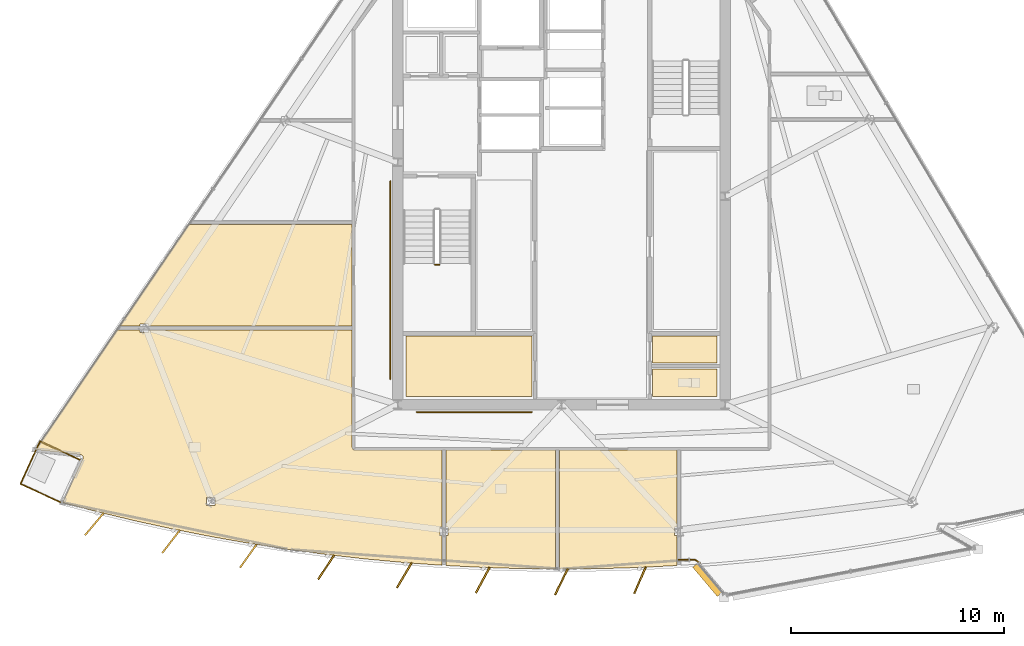
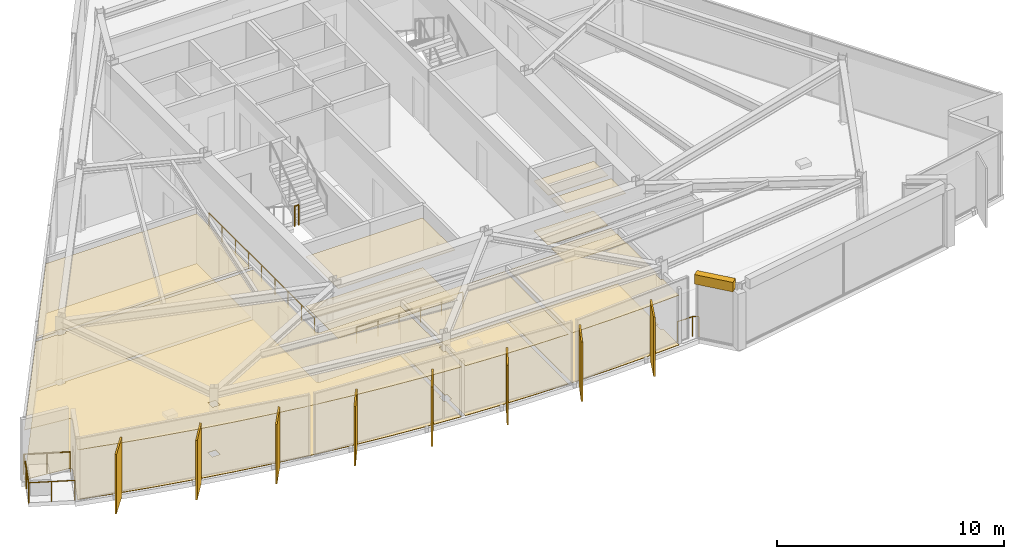
# One storey, part 10 of 14: 15 coverings, 8 shading devices, 7 railings.
"""IFC4 building model written with IfcOpenShell, lengths in metres."""

from ifc_helpers import new_model, si_unit, direction, frame, origin, origin_2d, place, context, subcontext, project, spatial, polyline, rectangle, circle, outline, extrude, material, layer, layer_set, type_object, element, save


model = new_model("IFC4")

# Units and contexts
model_context = context("Model", 3, precision=1e-05, world=origin(), true_north=direction((0.0, 1.0)))
body_context = subcontext(model_context, "Body", "Model", "MODEL_VIEW")
ifc_project = project(units=[si_unit("LENGTHUNIT", "METRE"), si_unit("AREAUNIT", "SQUARE_METRE"), si_unit("VOLUMEUNIT", "CUBIC_METRE"), si_unit("PLANEANGLEUNIT", "RADIAN"), si_unit("MASSUNIT", "GRAM", prefix="KILO")], contexts=[model_context])

# Site, building, storey
site_placement = place(None, origin())
site = spatial("IfcSite", under=ifc_project, at=site_placement, CompositionType="ELEMENT")
building_placement = place(site_placement, origin())
building = spatial("IfcBuilding", under=site, at=building_placement, Name="Savorim Split Tower", CompositionType="ELEMENT")
storey_placement = place(building_placement, frame((0.0, 0.0, 219.89990234375)))
storey = spatial("IfcBuildingStorey", under=building, at=storey_placement, Name="L58", CompositionType="ELEMENT", Elevation=219.89990234375)

# Coverings
ifc_material_1 = material(Name="Mineral Fibre Acoustic Ceiling")
ifc_layer_1 = layer(ifc_material_1, 0.02490234375)
ifc_layer_set_1 = layer_set([ifc_layer_1], Name="COV-CEIL-25")
covering_type_1 = type_object("IfcCoveringType", Name="COV-CEIL-25", PredefinedType="CEILING", material=ifc_layer_set_1)
covering_1_placement = place(storey_placement, frame((0.0, 0.0, 2.670166015625)))
element("IfcCovering", 1, at=covering_1_placement, inside=storey, type_object=covering_type_1, Name="L58 Housekeeping Store Acoustic Ceiling", PredefinedType="CEILING", context=body_context, shape_type="SweptSolid", body=[
    extrude(outline(polyline([(-7.320068359375, -6.179931640625), (-7.320068359375, -9.02001953125), (-1.3798828125, -9.02001953125), (-1.3798828125, -6.179931640625), (-7.320068359375, -6.179931640625)])), origin(), (0.0, 0.0, 1.0), 0.02490234375),
])
covering_2_placement = place(storey_placement, frame((0.0, 0.0, 2.670166015625)))
element("IfcCovering", 2, at=covering_2_placement, inside=storey, type_object=covering_type_1, Name="L58 Accessible WC Acoustic Ceiling", PredefinedType="CEILING", context=body_context, shape_type="SweptSolid", body=[
    extrude(outline(polyline([(4.280029296875, -7.719970703125), (4.280029296875, -9.02001953125), (7.320068359375, -9.02001953125), (7.320068359375, -7.719970703125), (4.280029296875, -7.719970703125)])), origin(), (0.0, 0.0, 1.0), 0.02490234375),
])
covering_3_placement = place(storey_placement, frame((0.0, 0.0, 2.670166015625)))
element("IfcCovering", 3, at=covering_3_placement, inside=storey, type_object=covering_type_1, Name="L58 Cleaning Store Acoustic Ceiling", PredefinedType="CEILING", context=body_context, shape_type="SweptSolid", body=[
    extrude(outline(polyline([(4.280029296875, -6.179931640625), (4.280029296875, -7.43994140625), (7.320068359375, -7.43994140625), (7.320068359375, -6.179931640625), (4.280029296875, -6.179931640625)])), origin(), (0.0, 0.0, 1.0), 0.02490234375),
])
covering_4_placement = place(storey_placement, frame((0.0, 0.0, 2.670166015625)))
element("IfcCovering", 4, at=covering_4_placement, inside=storey, type_object=covering_type_1, Name="L58 Quiet Study Room Acoustic Ceiling", PredefinedType="CEILING", context=body_context, shape_type="SweptSolid", body=[
    extrude(outline(polyline([(-19.415283203125, -5.610595703125), (-19.415283203125, -5.711669921875), (-9.840087890625, -5.711669921875), (-9.840087890625, -0.931884765625), (-17.527099609375, -0.931884765625), (-20.7783203125, -5.711669921875), (-19.809326171875, -5.711669921875), (-19.809326171875, -5.610595703125), (-19.415283203125, -5.610595703125)])), origin(), (0.0, 0.0, 1.0), 0.02490234375),
])
covering_5_placement = place(storey_placement, frame((0.0, 0.0, 2.670166015625)))
element("IfcCovering", 5, at=covering_5_placement, inside=storey, type_object=covering_type_1, Name="L58 Community Laundry Room Acoustic Ceiling", PredefinedType="CEILING", context=body_context, shape_type="SweptSolid", body=[
    extrude(outline(polyline([(-22.49072265625, -11.86669921875), (-22.490478515625, -11.878662109375), (-22.491455078125, -11.890625), (-22.49365234375, -11.90234375), (-22.496826171875, -11.913818359375), (-22.50146484375, -11.9248046875), (-23.4599609375, -14.01123046875), (-21.8203125, -14.440185546875), (-20.0341796875, -14.868408203125), (-18.23974609375, -15.260009765625), (-16.4375, -15.61474609375), (-14.62841796875, -15.9326171875), (-12.8134765625, -16.21337890625), (-10.992919921875, -16.45703125), (-9.167724609375, -16.663330078125), (-7.3388671875, -16.832275390625), (-5.6201171875, -16.95556640625), (-5.6201171875, -15.5576171875), (-5.721923828125, -15.5576171875), (-5.721923828125, -15.165771484375), (-5.6201171875, -15.165771484375), (-5.6201171875, -11.5400390625), (-9.699951171875, -11.5400390625), (-9.713623046875, -11.539306640625), (-9.727294921875, -11.537353515625), (-9.740478515625, -11.533935546875), (-9.753662109375, -11.529296875), (-9.76611328125, -11.5234375), (-9.77783203125, -11.516357421875), (-9.788818359375, -11.50830078125), (-9.799072265625, -11.4990234375), (-9.80810546875, -11.48876953125), (-9.81640625, -11.477783203125), (-9.823486328125, -11.466064453125), (-9.829345703125, -11.45361328125), (-9.833984375, -11.440673828125), (-9.83740234375, -11.42724609375), (-9.83935546875, -11.413818359375), (-9.840087890625, -11.39990234375), (-9.840087890625, -5.901611328125), (-19.415283203125, -5.901611328125), (-19.415283203125, -6.002685546875), (-19.809326171875, -6.002685546875), (-19.809326171875, -5.901611328125), (-20.78271484375, -5.901611328125), (-20.877685546875, -5.901611328125), (-20.877685546875, -5.857421875), (-24.72802734375, -11.517578125), (-22.59716796875, -11.755615234375), (-22.585205078125, -11.757568359375), (-22.57373046875, -11.760498046875), (-22.5625, -11.7646484375), (-22.552001953125, -11.77001953125), (-22.541748046875, -11.7763671875), (-22.5322265625, -11.78369140625), (-22.523681640625, -11.7919921875), (-22.515869140625, -11.80078125), (-22.509033203125, -11.810546875), (-22.503173828125, -11.821044921875), (-22.498291015625, -11.831787109375), (-22.49462890625, -11.84326171875), (-22.4921875, -11.85498046875), (-22.49072265625, -11.86669921875)]), holes=[polyline([(-16.681884765625, -14.150390625), (-16.287841796875, -14.150390625), (-16.287841796875, -13.758544921875), (-16.681884765625, -13.758544921875), (-16.681884765625, -14.150390625)])]), origin(), (0.0, 0.0, 1.0), 0.02490234375),
])
covering_6_placement = place(storey_placement, frame((0.0, 0.0, 2.670166015625)))
element("IfcCovering", 6, at=covering_6_placement, inside=storey, type_object=covering_type_1, Name="L58 Shared Kitchen Acoustic Ceiling", PredefinedType="CEILING", context=body_context, shape_type="SweptSolid", body=[
    extrude(outline(polyline([(-5.429931640625, -16.9677734375), (-3.672607421875, -17.0576171875), (-1.836669921875, -17.114013671875), (-0.2900390625, -17.1298828125), (-0.2900390625, -11.5400390625), (-5.429931640625, -11.5400390625), (-5.429931640625, -15.165771484375), (-5.327880859375, -15.165771484375), (-5.327880859375, -15.5576171875), (-5.429931640625, -15.5576171875), (-5.429931640625, -16.912353515625), (-5.429931640625, -16.9677734375)])), origin(), (0.0, 0.0, 1.0), 0.02490234375),
])
covering_7_placement = place(storey_placement, frame((0.0, 0.0, 2.670166015625)))
element("IfcCovering", 7, at=covering_7_placement, inside=storey, type_object=covering_type_1, Name="L58 Maker Workshop Acoustic Ceiling", PredefinedType="CEILING", context=body_context, shape_type="SweptSolid", body=[
    extrude(outline(polyline([(-0.10009765625, -17.1318359375), (0.0, -17.1328125), (1.836669921875, -17.114013671875), (3.672607421875, -17.0576171875), (5.429931640625, -16.9677734375), (5.429931640625, -15.5576171875), (5.327880859375, -15.5576171875), (5.327880859375, -15.165771484375), (5.429931640625, -15.165771484375), (5.429931640625, -11.5400390625), (-0.10009765625, -11.5400390625), (-0.10009765625, -17.1318359375)])), origin(), (0.0, 0.0, 1.0), 0.02490234375),
])
ifc_material_2 = material(Name="Porcelain Stoneware Flooring", Category="masonry")
ifc_layer_2 = layer(ifc_material_2, 0.02001953125)
ifc_layer_set_2 = layer_set([ifc_layer_2], Name="COV-FLOR-20")
covering_type_2 = type_object("IfcCoveringType", Name="COV-FLOR-20", PredefinedType="FLOORING", material=ifc_layer_set_2)
covering_8_placement = place(storey_placement, origin())
element("IfcCovering", 8, at=covering_8_placement, inside=storey, type_object=covering_type_2, Name="L58 Housekeeping Store Porcelain Flooring", PredefinedType="FLOORING", context=body_context, shape_type="SweptSolid", body=[
    extrude(outline(polyline([(-7.320068359375, -6.179931640625), (-7.320068359375, -9.02001953125), (-1.3798828125, -9.02001953125), (-1.3798828125, -6.179931640625), (-7.320068359375, -6.179931640625)])), origin(), (0.0, 0.0, 1.0), 0.02001953125),
])
covering_9_placement = place(storey_placement, origin())
element("IfcCovering", 9, at=covering_9_placement, inside=storey, type_object=covering_type_2, Name="L58 Accessible WC Porcelain Flooring", PredefinedType="FLOORING", context=body_context, shape_type="SweptSolid", body=[
    extrude(outline(polyline([(4.280029296875, -7.719970703125), (4.280029296875, -9.02001953125), (7.320068359375, -9.02001953125), (7.320068359375, -7.719970703125), (4.280029296875, -7.719970703125)])), origin(), (0.0, 0.0, 1.0), 0.02001953125),
])
covering_10_placement = place(storey_placement, origin())
element("IfcCovering", 10, at=covering_10_placement, inside=storey, type_object=covering_type_2, Name="L58 Cleaning Store Porcelain Flooring", PredefinedType="FLOORING", context=body_context, shape_type="SweptSolid", body=[
    extrude(outline(polyline([(4.280029296875, -6.179931640625), (4.280029296875, -7.43994140625), (7.320068359375, -7.43994140625), (7.320068359375, -6.179931640625), (4.280029296875, -6.179931640625)])), origin(), (0.0, 0.0, 1.0), 0.02001953125),
])
covering_11_placement = place(storey_placement, origin())
element("IfcCovering", 11, at=covering_11_placement, inside=storey, type_object=covering_type_2, Name="L58 Quiet Study Room Porcelain Flooring", PredefinedType="FLOORING", context=body_context, shape_type="SweptSolid", body=[
    extrude(outline(polyline([(-19.415283203125, -5.610595703125), (-19.415283203125, -5.711669921875), (-9.840087890625, -5.711669921875), (-9.840087890625, -0.931884765625), (-17.527099609375, -0.931884765625), (-20.7783203125, -5.711669921875), (-19.809326171875, -5.711669921875), (-19.809326171875, -5.610595703125), (-19.415283203125, -5.610595703125)])), origin(), (0.0, 0.0, 1.0), 0.02001953125),
])
covering_12_placement = place(storey_placement, origin())
element("IfcCovering", 12, at=covering_12_placement, inside=storey, type_object=covering_type_2, Name="L58 Community Laundry Room Porcelain Flooring", PredefinedType="FLOORING", context=body_context, shape_type="SweptSolid", body=[
    extrude(outline(polyline([(-22.49072265625, -11.86669921875), (-22.490478515625, -11.878662109375), (-22.491455078125, -11.890625), (-22.49365234375, -11.90234375), (-22.496826171875, -11.913818359375), (-22.50146484375, -11.9248046875), (-23.4599609375, -14.01123046875), (-21.8203125, -14.440185546875), (-20.0341796875, -14.868408203125), (-18.23974609375, -15.260009765625), (-16.4375, -15.61474609375), (-14.62841796875, -15.9326171875), (-12.8134765625, -16.21337890625), (-10.992919921875, -16.45703125), (-9.167724609375, -16.663330078125), (-7.3388671875, -16.832275390625), (-5.6201171875, -16.95556640625), (-5.6201171875, -15.5576171875), (-5.721923828125, -15.5576171875), (-5.721923828125, -15.165771484375), (-5.6201171875, -15.165771484375), (-5.6201171875, -11.5400390625), (-9.699951171875, -11.5400390625), (-9.713623046875, -11.539306640625), (-9.727294921875, -11.537353515625), (-9.740478515625, -11.533935546875), (-9.753662109375, -11.529296875), (-9.76611328125, -11.5234375), (-9.77783203125, -11.516357421875), (-9.788818359375, -11.50830078125), (-9.799072265625, -11.4990234375), (-9.80810546875, -11.48876953125), (-9.81640625, -11.477783203125), (-9.823486328125, -11.466064453125), (-9.829345703125, -11.45361328125), (-9.833984375, -11.440673828125), (-9.83740234375, -11.42724609375), (-9.83935546875, -11.413818359375), (-9.840087890625, -11.39990234375), (-9.840087890625, -5.901611328125), (-19.415283203125, -5.901611328125), (-19.415283203125, -6.002685546875), (-19.809326171875, -6.002685546875), (-19.809326171875, -5.901611328125), (-20.78271484375, -5.901611328125), (-20.877685546875, -5.901611328125), (-20.877685546875, -5.857421875), (-24.72802734375, -11.517578125), (-22.59716796875, -11.755615234375), (-22.585205078125, -11.757568359375), (-22.57373046875, -11.760498046875), (-22.5625, -11.7646484375), (-22.552001953125, -11.77001953125), (-22.541748046875, -11.7763671875), (-22.5322265625, -11.78369140625), (-22.523681640625, -11.7919921875), (-22.515869140625, -11.80078125), (-22.509033203125, -11.810546875), (-22.503173828125, -11.821044921875), (-22.498291015625, -11.831787109375), (-22.49462890625, -11.84326171875), (-22.4921875, -11.85498046875), (-22.49072265625, -11.86669921875)]), holes=[polyline([(-16.681884765625, -14.150390625), (-16.287841796875, -14.150390625), (-16.287841796875, -13.758544921875), (-16.681884765625, -13.758544921875), (-16.681884765625, -14.150390625)])]), origin(), (0.0, 0.0, 1.0), 0.02001953125),
])
covering_13_placement = place(storey_placement, origin())
element("IfcCovering", 13, at=covering_13_placement, inside=storey, type_object=covering_type_2, Name="L58 Shared Kitchen Porcelain Flooring", PredefinedType="FLOORING", context=body_context, shape_type="SweptSolid", body=[
    extrude(outline(polyline([(-5.429931640625, -16.9677734375), (-3.672607421875, -17.0576171875), (-1.836669921875, -17.114013671875), (-0.2900390625, -17.1298828125), (-0.2900390625, -11.5400390625), (-5.429931640625, -11.5400390625), (-5.429931640625, -15.165771484375), (-5.327880859375, -15.165771484375), (-5.327880859375, -15.5576171875), (-5.429931640625, -15.5576171875), (-5.429931640625, -16.912353515625), (-5.429931640625, -16.9677734375)])), origin(), (0.0, 0.0, 1.0), 0.02001953125),
])
covering_14_placement = place(storey_placement, origin())
element("IfcCovering", 14, at=covering_14_placement, inside=storey, type_object=covering_type_2, Name="L58 Maker Workshop Porcelain Flooring", PredefinedType="FLOORING", context=body_context, shape_type="SweptSolid", body=[
    extrude(outline(polyline([(-0.10009765625, -17.1318359375), (0.0, -17.1328125), (1.836669921875, -17.114013671875), (3.672607421875, -17.0576171875), (5.429931640625, -16.9677734375), (5.429931640625, -15.5576171875), (5.327880859375, -15.5576171875), (5.327880859375, -15.165771484375), (5.429931640625, -15.165771484375), (5.429931640625, -11.5400390625), (-0.10009765625, -11.5400390625), (-0.10009765625, -17.1318359375)])), origin(), (0.0, 0.0, 1.0), 0.02001953125),
])
ifc_material_3 = material(Name="White Porcelain Architectural Cladding")
ifc_layer_3 = layer(ifc_material_3, 0.139892578125)
ifc_layer_set_3 = layer_set([ifc_layer_3], Name="COV-FRM-WHITE")
covering_type_3 = type_object("IfcCoveringType", Name="COV-FRM-WHITE", PredefinedType="CLADDING", material=ifc_layer_set_3)
covering_15_placement = place(storey_placement, frame((0.0, 0.0, 3.080078125)))
element("IfcCovering", 15, at=covering_15_placement, inside=storey, type_object=covering_type_3, Name="L58 Cantilevered Lounge White Upper Cornice Band W", PredefinedType="CLADDING", context=body_context, shape_type="SweptSolid", body=[
    extrude(outline(polyline([(6.170166015625, -17.050537109375), (7.331298828125, -18.426025390625), (7.591064453125, -18.206787109375), (6.429931640625, -16.831298828125), (6.170166015625, -17.050537109375)])), origin(), (0.0, 0.0, 1.0), 0.510009765625),
])

# Railings
ifc_material_4 = material(Name="Galvanised Painted Steel Balustrade", Category="steel")
railing_type_1 = type_object("IfcRailingType", Name="RLG-BAL-1100", PredefinedType="BALUSTRADE", material=ifc_material_4)
railing_1_placement = place(storey_placement, frame((5.506591796875, -16.697509765625, 0.0)))
element("IfcRailing", 16, at=railing_1_placement, inside=storey, type_object=railing_type_1, Name="L58 Cantilevered Lounge West Edge Closure Guard", PredefinedType="BALUSTRADE", context=body_context, shape_type="SweptSolid", body=[
    extrude(circle(Radius=0.02392578125, at=origin_2d()), frame((0.0, 0.0, 1.076171875), z_axis=(1.0, 0.0, 0.0), x_axis=(0.0, 1.0, 0.0)), (0.0, 0.0, 1.0), 0.780029296875),
    extrude(circle(Radius=0.02392578125, at=origin_2d()), frame((0.780029296875, 0.0, 1.076171875), z_axis=(0.841354039669, -0.540484393792, 0.0), x_axis=(0.540484393792, 0.841354039669, 0.0)), (0.0, 0.0, 1.0), 0.27099609375),
    extrude(circle(Radius=0.02099609375, at=origin_2d()), origin(), (0.0, 0.0, 1.0), 1.052001953125),
    extrude(circle(Radius=0.02099609375, at=origin_2d()), frame((0.780029296875, 0.0, 0.0)), (0.0, 0.0, 1.0), 1.052001953125),
    extrude(circle(Radius=0.02099609375, at=origin_2d()), frame((1.008056640625, -0.146484375, 0.0)), (0.0, 0.0, 1.0), 1.052001953125),
])
railing_2_placement = place(storey_placement, frame((-23.57861328125, -13.982177734375, 0.0)))
element("IfcRailing", 17, at=railing_2_placement, inside=storey, type_object=railing_type_1, Name="L58 Tree Balcony Guardrail SW-1", PredefinedType="BALUSTRADE", context=body_context, shape_type="SweptSolid", body=[
    extrude(circle(Radius=0.02392578125, at=origin_2d()), frame((0.0, 0.0, 1.076171875), z_axis=(-0.908662190505, 0.417532062898, 0.0), x_axis=(-0.417532062898, -0.908662190505, 0.0)), (0.0, 0.0, 1.0), 2.050048828125),
    extrude(circle(Radius=0.02099609375, at=origin_2d()), origin(), (0.0, 0.0, 1.0), 1.052001953125),
    extrude(circle(Radius=0.02099609375, at=origin_2d()), frame((-0.931396484375, 0.427978515625, 0.0)), (0.0, 0.0, 1.0), 1.052001953125),
    extrude(circle(Radius=0.02099609375, at=origin_2d()), frame((-1.86279296875, 0.85595703125, 0.0)), (0.0, 0.0, 1.0), 1.052001953125),
])
railing_3_placement = place(storey_placement, frame((-25.44140625, -13.126220703125, 0.0)))
element("IfcRailing", 18, at=railing_3_placement, inside=storey, type_object=railing_type_1, Name="L58 Tree Balcony Guardrail SW-2", PredefinedType="BALUSTRADE", context=body_context, shape_type="SweptSolid", body=[
    extrude(circle(Radius=0.02392578125, at=origin_2d()), frame((0.0, 0.0, 1.076171875), z_axis=(0.417529900491, 0.908663184132, 0.0), x_axis=(-0.908663184132, 0.417529900491, 0.0)), (0.0, 0.0, 1.0), 2.19921875),
    extrude(circle(Radius=0.02099609375, at=origin_2d()), origin(), (0.0, 0.0, 1.0), 1.052001953125),
    extrude(circle(Radius=0.02099609375, at=origin_2d()), frame((0.458984375, 0.9990234375, 0.0)), (0.0, 0.0, 1.0), 1.052001953125),
    extrude(circle(Radius=0.02099609375, at=origin_2d()), frame((0.918212890625, 1.998291015625, 0.0)), (0.0, 0.0, 1.0), 1.052001953125),
])
railing_4_placement = place(storey_placement, frame((-24.523193359375, -11.1279296875, 0.0)))
element("IfcRailing", 19, at=railing_4_placement, inside=storey, type_object=railing_type_1, Name="L58 Tree Balcony Guardrail SW-3", PredefinedType="BALUSTRADE", context=body_context, shape_type="SweptSolid", body=[
    extrude(circle(Radius=0.02392578125, at=origin_2d()), frame((0.0, 0.0, 1.076171875), z_axis=(0.908662190505, -0.417532062898, 0.0), x_axis=(0.417532062898, 0.908662190505, 0.0)), (0.0, 0.0, 1.0), 2.050048828125),
    extrude(circle(Radius=0.02099609375, at=origin_2d()), origin(), (0.0, 0.0, 1.0), 1.052001953125),
    extrude(circle(Radius=0.02099609375, at=origin_2d()), frame((0.931396484375, -0.427978515625, 0.0)), (0.0, 0.0, 1.0), 1.052001953125),
    extrude(circle(Radius=0.02099609375, at=origin_2d()), frame((1.86279296875, -0.85595703125, 0.0)), (0.0, 0.0, 1.0), 1.052001953125),
])
railing_type_2 = type_object("IfcRailingType", Name="RLG-HR-900", PredefinedType="HANDRAIL", material=ifc_material_4)
railing_5_placement = place(storey_placement, frame((-6.800048828125, -9.75, 0.0)))
element("IfcRailing", 20, at=railing_5_placement, inside=storey, type_object=railing_type_2, Name="L58 Corridor South Accessible Handrail", PredefinedType="HANDRAIL", context=body_context, shape_type="SweptSolid", body=[
    extrude(circle(Radius=0.02392578125, at=origin_2d()), frame((0.0, 0.0, 0.8759765625), z_axis=(1.0, 0.0, 0.0), x_axis=(0.0, 1.0, 0.0)), (0.0, 0.0, 1.0), 5.400146484375),
    extrude(circle(Radius=0.02099609375, at=origin_2d()), origin(), (0.0, 0.0, 1.0), 0.851806640625),
    extrude(circle(Radius=0.02099609375, at=origin_2d()), frame((1.080078125, 0.0, 0.0)), (0.0, 0.0, 1.0), 0.851806640625),
    extrude(circle(Radius=0.02099609375, at=origin_2d()), frame((2.16015625, 0.0, 0.0)), (0.0, 0.0, 1.0), 0.851806640625),
    extrude(circle(Radius=0.02099609375, at=origin_2d()), frame((3.239990234375, 0.0, 0.0)), (0.0, 0.0, 1.0), 0.851806640625),
    extrude(circle(Radius=0.02099609375, at=origin_2d()), frame((4.320068359375, 0.0, 0.0)), (0.0, 0.0, 1.0), 0.851806640625),
    extrude(circle(Radius=0.02099609375, at=origin_2d()), frame((5.400146484375, 0.0, 0.0)), (0.0, 0.0, 1.0), 0.851806640625),
])
railing_6_placement = place(storey_placement, frame((-8.050048828125, -8.199951171875, 0.0)))
element("IfcRailing", 21, at=railing_6_placement, inside=storey, type_object=railing_type_2, Name="L58 Corridor West Accessible Handrail", PredefinedType="HANDRAIL", context=body_context, shape_type="SweptSolid", body=[
    extrude(circle(Radius=0.02392578125, at=origin_2d()), frame((0.0, 0.0, 0.8759765625), z_axis=(0.0, 1.0, 0.0), x_axis=(-1.0, 0.0, 0.0)), (0.0, 0.0, 1.0), 9.300048828125),
    extrude(circle(Radius=0.02099609375, at=origin_2d()), origin(), (0.0, 0.0, 1.0), 0.851806640625),
    extrude(circle(Radius=0.02099609375, at=origin_2d()), frame((0.0, 1.16259765625, 0.0)), (0.0, 0.0, 1.0), 0.851806640625),
    extrude(circle(Radius=0.02099609375, at=origin_2d()), frame((0.0, 2.324951171875, 0.0)), (0.0, 0.0, 1.0), 0.851806640625),
    extrude(circle(Radius=0.02099609375, at=origin_2d()), frame((0.0, 3.487548828125, 0.0)), (0.0, 0.0, 1.0), 0.851806640625),
    extrude(circle(Radius=0.02099609375, at=origin_2d()), frame((0.0, 4.64990234375, 0.0)), (0.0, 0.0, 1.0), 0.851806640625),
    extrude(circle(Radius=0.02099609375, at=origin_2d()), frame((0.0, 5.8125, 0.0)), (0.0, 0.0, 1.0), 0.851806640625),
    extrude(circle(Radius=0.02099609375, at=origin_2d()), frame((0.0, 6.97509765625, 0.0)), (0.0, 0.0, 1.0), 0.851806640625),
    extrude(circle(Radius=0.02099609375, at=origin_2d()), frame((0.0, 8.137451171875, 0.0)), (0.0, 0.0, 1.0), 0.851806640625),
    extrude(circle(Radius=0.02099609375, at=origin_2d()), frame((0.0, 9.300048828125, 0.0)), (0.0, 0.0, 1.0), 0.851806640625),
])
railing_type_3 = type_object("IfcRailingType", Name="RLG-STG-1100", PredefinedType="BALUSTRADE", material=ifc_material_4)
railing_7_placement = place(storey_placement, frame((-5.949951171875, -2.820068359375, 1.800048828125)))
element("IfcRailing", 22, at=railing_7_placement, inside=storey, type_object=railing_type_3, Name="L58 ST-1 stair guard 2", PredefinedType="BALUSTRADE", context=body_context, shape_type="SweptSolid", body=[
    extrude(circle(Radius=0.02392578125, at=origin_2d()), frame((0.0, 0.0, 1.076171875), z_axis=(1.0, 0.0, 0.0), x_axis=(0.0, 1.0, 0.0)), (0.0, 0.0, 1.0), 0.199951171875),
    extrude(circle(Radius=0.02099609375, at=origin_2d()), origin(), (0.0, 0.0, 1.0), 1.052001953125),
    extrude(circle(Radius=0.02099609375, at=origin_2d()), frame((0.199951171875, 0.0, 0.0)), (0.0, 0.0, 1.0), 1.052001953125),
])

# Shading devices
ifc_material_5 = material(Name="Terracotta Ceramic-Coated Aluminium Fin", Category="masonry")
shading_device_type = type_object("IfcShadingDeviceType", Name="SHD-FIN-1360", PredefinedType="USERDEFINED", material=ifc_material_5)
for number, where, z_axis, x_axis, name in (
    (23, (-21.965087890625, -15.018310546875, -0.19970703125), (0.0, 0.0, 1.0), (-0.643719022682, -0.765261928909, 0.0), "L58 Sawtooth Shading Fin 01"),
    (24, (-18.36083984375, -15.843505859375, -0.19970703125), (0.0, 0.0, 1.0), (-0.611868076908, -0.790959832394, 0.0), "L58 Sawtooth Shading Fin 02"),
    (25, (-14.7255859375, -16.520751953125, -0.19970703125), (0.0, 0.0, 1.0), (-0.578993757737, -0.815331974414, 0.0), "L58 Sawtooth Shading Fin 03"),
    (26, (-11.06591796875, -17.048583984375, -0.19970703125), (0.0, 0.0, 1.0), (-0.545148321708, -0.838339613366, 0.0), "L58 Sawtooth Shading Fin 04"),
    (27, (-7.3876953125, -17.42626953125, -0.19970703125), (0.0, 0.0, 1.0), (-0.510391336723, -0.859942255851, 0.0), "L58 Sawtooth Shading Fin 05"),
    (28, (-3.697021484375, -17.653076171875, -0.19970703125), (0.0, 0.0, 1.0), (-0.474778051978, -0.880105562623, 0.0), "L58 Sawtooth Shading Fin 06"),
    (29, (0.0, -17.728759765625, -0.19970703125), (0.0, 0.0, 1.0), (-0.438371146789, -0.898794046299, 0.0), "L58 Sawtooth Shading Fin 07"),
    (30, (3.697021484375, -17.653076171875, -0.19970703125), (0.0, 0.0, 1.0), (-0.401230091723, -0.915977299662, 0.0), "L58 Sawtooth Shading Fin 08"),
):
    element("IfcShadingDevice", number, at=place(storey_placement, frame(where, z_axis=z_axis, x_axis=x_axis)), inside=storey, type_object=shading_device_type, Name=name, ObjectType="FIN", PredefinedType="USERDEFINED", context=body_context, shape_type="SweptSolid", body=[
        extrude(rectangle(XDim=1.360107421875, YDim=0.080078125, at=origin_2d()), origin(), (0.0, 0.0, 1.0), 3.199951171875),
    ])

save(model, "model.ifc")
